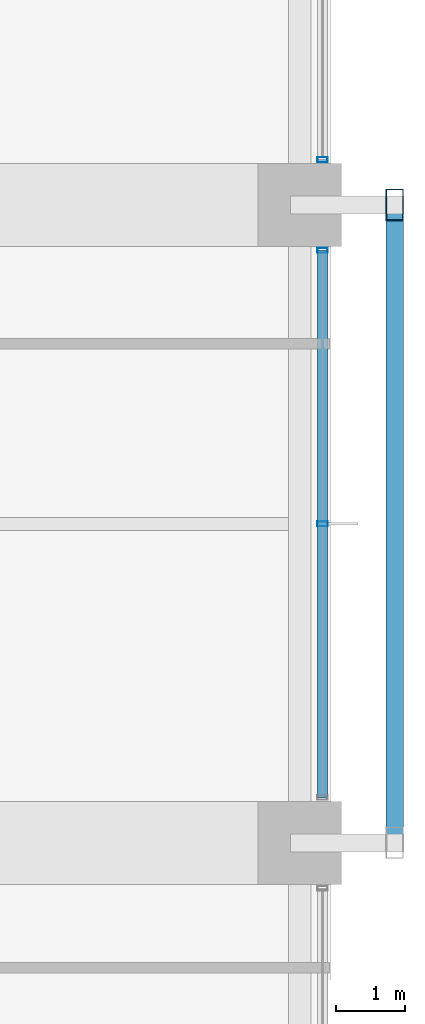
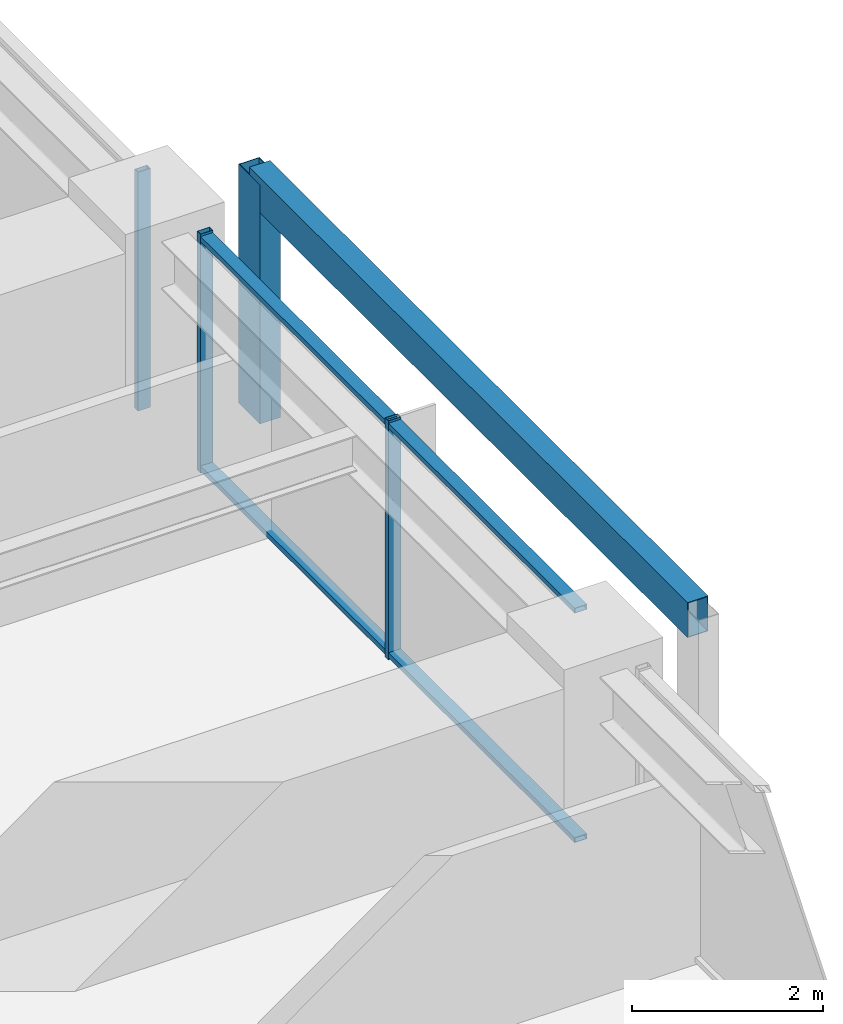
# One storey, part 15 of 37: 7 members, 2 elements without a shape of their own.
"""IFC4 building model written with IfcOpenShell, lengths in metres."""

from ifc_helpers import new_model, si_unit, direction, frame, origin, origin_2d, place, context, subcontext, project, spatial, hollow_rectangle, extrude, material, material_profile, profile_set, type_object, element, aggregate, save


model = new_model("IFC4")

# Units and contexts
model_context = context("Model", 3, precision=1e-05, world=origin(), true_north=direction((0.0, 1.0)))
body_context = subcontext(model_context, "Body", "Model", "MODEL_VIEW")
ifc_project = project(units=[si_unit("LENGTHUNIT", "METRE"), si_unit("AREAUNIT", "SQUARE_METRE"), si_unit("VOLUMEUNIT", "CUBIC_METRE"), si_unit("PLANEANGLEUNIT", "RADIAN"), si_unit("MASSUNIT", "GRAM", prefix="KILO")], contexts=[model_context])

# Site, building, storey
site_placement = place(None, origin())
site = spatial("IfcSite", under=ifc_project, at=site_placement, CompositionType="ELEMENT")
building_placement = place(site_placement, origin())
building = spatial("IfcBuilding", under=site, at=building_placement, Name="Kolvaren Belvedere", CompositionType="ELEMENT")
storey_placement = place(building_placement, frame((0.0, 0.0, 56.800048828125)))
storey = spatial("IfcBuildingStorey", under=building, at=storey_placement, Name="L16", CompositionType="ELEMENT", Elevation=56.800048828125)

# Curtain wall, member
ifc_material_1 = material(Name="Anodised pale-metal aluminium AA 6063-T6", Category="aluminium")
curtain_wall_type = type_object("IfcCurtainWallType", Name="CW-Z1-LOW", PredefinedType="NOTDEFINED", material=ifc_material_1)
curtain_wall_1_placement = place(storey_placement, origin())
curtain_wall_1 = element("IfcCurtainWall", 1, at=curtain_wall_1_placement, inside=storey, type_object=curtain_wall_type, Name="L16 Unitised Curtain Wall FCW-L16-E-B1", PredefinedType="NOTDEFINED")
ifc_material_2 = material(Name="Anodised pale-metal aluminium AA 6063-T6", Category="aluminium")
ifc_material_profile_1 = material_profile(ifc_material_2, hollow_rectangle(XDim=0.070068359375, YDim=0.14990234375, WallThickness=0.004150390625, at=origin_2d()), Name="ALU-MUL-150X70")
ifc_profile_set_1 = profile_set([ifc_material_profile_1], Name="Anodised pale-metal aluminium AA 6063-T6")
member_type_1 = type_object("IfcMemberType", Name="CW-MUL-150", PredefinedType="MULLION", material=ifc_profile_set_1)
member_1_placement = place(storey_placement, frame((21.8798828125, 5.2548828125, 0.0), z_axis=(0.0, 0.0, 1.0), x_axis=(0.0, 1.0, 0.0)))
member_1 = element("IfcMember", 2, at=member_1_placement, type_object=member_type_1, Name="FCW-L16-E-B1 Unitised Mullion 3", PredefinedType="MULLION", context=body_context, shape_type="SweptSolid", body=[
    extrude(hollow_rectangle(XDim=0.070068359375, YDim=0.14990234375, WallThickness=0.004150390625, at=origin_2d()), origin(), (0.0, 0.0, 1.0), 3.06005859375),
])
aggregate(curtain_wall_1, [member_1])

# Curtain wall, members
curtain_wall_2_placement = place(storey_placement, origin())
curtain_wall_2 = element("IfcCurtainWall", 3, at=curtain_wall_2_placement, inside=storey, type_object=curtain_wall_type, Name="L16 Unitised Curtain Wall FCW-L16-E-B2", PredefinedType="NOTDEFINED")
member_2_placement = place(storey_placement, frame((21.8798828125, 3.945068359375, 0.0), z_axis=(0.0, 0.0, 1.0), x_axis=(0.0, 1.0, 0.0)))
member_2 = element("IfcMember", 4, at=member_2_placement, type_object=member_type_1, Name="FCW-L16-E-B2 Unitised Mullion 1", PredefinedType="MULLION", context=body_context, shape_type="SweptSolid", body=[
    extrude(hollow_rectangle(XDim=0.070068359375, YDim=0.14990234375, WallThickness=0.004150390625, at=origin_2d()), origin(), (0.0, 0.0, 1.0), 3.06005859375),
])
member_3_placement = place(storey_placement, frame((21.8798828125, 0.0, 0.0), z_axis=(0.0, 0.0, 1.0), x_axis=(0.0, 1.0, 0.0)))
member_3 = element("IfcMember", 5, at=member_3_placement, type_object=member_type_1, Name="FCW-L16-E-B2 Unitised Mullion 2", PredefinedType="MULLION", context=body_context, shape_type="SweptSolid", body=[
    extrude(hollow_rectangle(XDim=0.070068359375, YDim=0.14990234375, WallThickness=0.004150390625, at=origin_2d()), origin(), (0.0, 0.0, 1.0), 3.06005859375),
])
ifc_material_3 = material(Name="Anodised pale-metal aluminium AA 6063-T6", Category="aluminium")
ifc_material_profile_2 = material_profile(ifc_material_3, hollow_rectangle(XDim=0.06494140625, YDim=0.14990234375, WallThickness=0.00390625, at=origin_2d()), Name="ALU-TRN-150X65")
ifc_profile_set_2 = profile_set([ifc_material_profile_2], Name="Anodised pale-metal aluminium AA 6063-T6")
member_type_2 = type_object("IfcMemberType", Name="CW-TRN-150", PredefinedType="USERDEFINED", material=ifc_profile_set_2)
member_4_placement = place(storey_placement, frame((21.8798828125, 3.945068359375, 0.06005859375), z_axis=(0.0, -1.0, 0.0), x_axis=(0.0, 0.0, 1.0)))
member_4 = element("IfcMember", 6, at=member_4_placement, type_object=member_type_2, Name="FCW-L16-E-B2 Sill Transom", ObjectType="TRANSOM", PredefinedType="USERDEFINED", context=body_context, shape_type="SweptSolid", body=[
    extrude(hollow_rectangle(XDim=0.06494140625, YDim=0.14990234375, WallThickness=0.00390625, at=origin_2d()), origin(), (0.0, 0.0, 1.0), 7.89013671875),
])
member_5_placement = place(storey_placement, frame((21.8798828125, 3.945068359375, 3.0), z_axis=(0.0, -1.0, 0.0), x_axis=(0.0, 0.0, 1.0)))
member_5 = element("IfcMember", 7, at=member_5_placement, type_object=member_type_2, Name="FCW-L16-E-B2 Head Transom", ObjectType="TRANSOM", PredefinedType="USERDEFINED", context=body_context, shape_type="SweptSolid", body=[
    extrude(hollow_rectangle(XDim=0.06494140625, YDim=0.14990234375, WallThickness=0.00390625, at=origin_2d()), origin(), (0.0, 0.0, 1.0), 7.89013671875),
])
aggregate(curtain_wall_2, [member_2, member_3, member_4, member_5])

# Members
ifc_material_4 = material(Name="Anodised pale-metal aluminium AA 6063-T6", Category="aluminium")
ifc_material_profile_3 = material_profile(ifc_material_4, hollow_rectangle(XDim=0.25, YDim=0.449951171875, WallThickness=0.008544921875, at=origin_2d()), Name="ALU-PF-450X250")
ifc_profile_set_3 = profile_set([ifc_material_profile_3], Name="Anodised pale-metal aluminium AA 6063-T6")
member_type_3 = type_object("IfcMemberType", Name="PF-FRAME-450", PredefinedType="USERDEFINED", material=ifc_profile_set_3)
member_6_placement = place(storey_placement, frame((22.919921875, 4.60009765625, 0.0), z_axis=(0.0, 0.0, 1.0), x_axis=(1.0, 0.0, 0.0)))
element("IfcMember", 8, at=member_6_placement, inside=storey, type_object=member_type_3, Name="L16 Outboard Picture-Frame Vertical E1", ObjectType="PICTURE FRAME FIN", PredefinedType="USERDEFINED", context=body_context, shape_type="SweptSolid", body=[
    extrude(hollow_rectangle(XDim=0.25, YDim=0.449951171875, WallThickness=0.008544921875, at=origin_2d()), origin(), (0.0, 0.0, 1.0), 3.06005859375),
])
member_7_placement = place(storey_placement, frame((22.919921875, 4.60009765625, 2.929931640625), z_axis=(0.0, -1.0, 0.0), x_axis=(1.0, 0.0, 0.0)))
element("IfcMember", 9, at=member_7_placement, inside=storey, type_object=member_type_3, Name="L16 Outboard Picture-Frame Head E", ObjectType="PICTURE FRAME FIN", PredefinedType="USERDEFINED", context=body_context, shape_type="SweptSolid", body=[
    extrude(hollow_rectangle(XDim=0.25, YDim=0.449951171875, WallThickness=0.008544921875, at=origin_2d()), origin(), (0.0, 0.0, 1.0), 9.2001953125),
])

save(model, "model.ifc")
